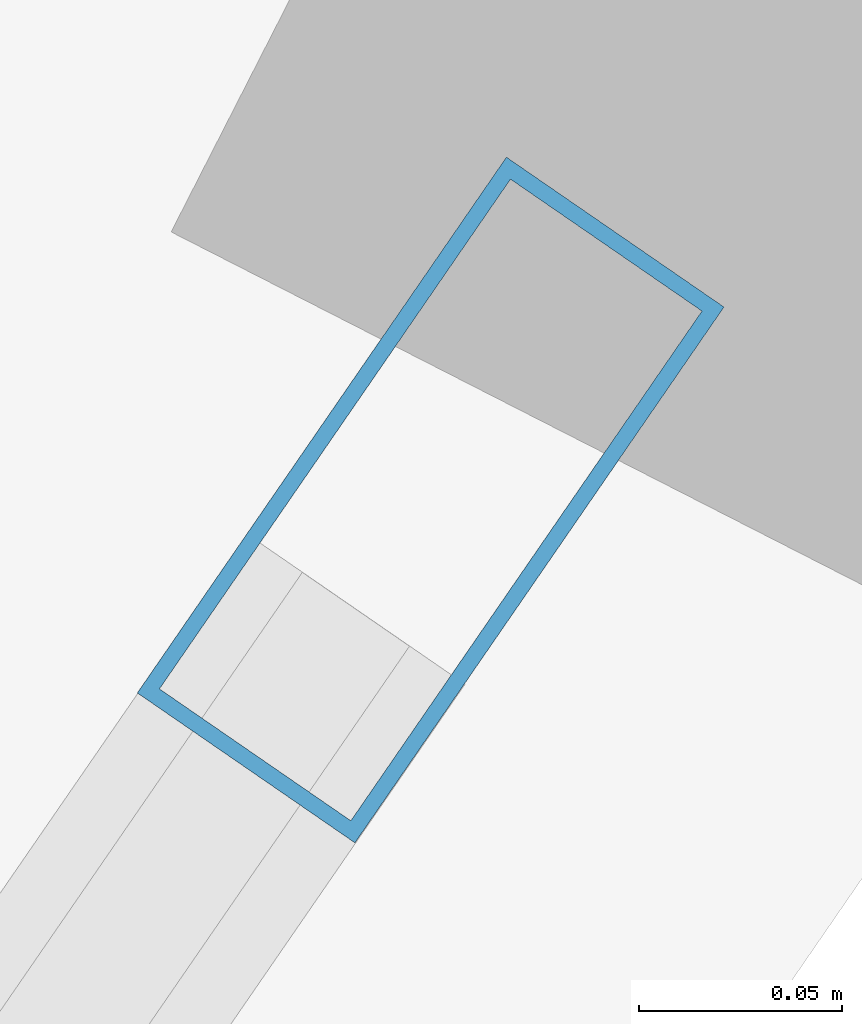
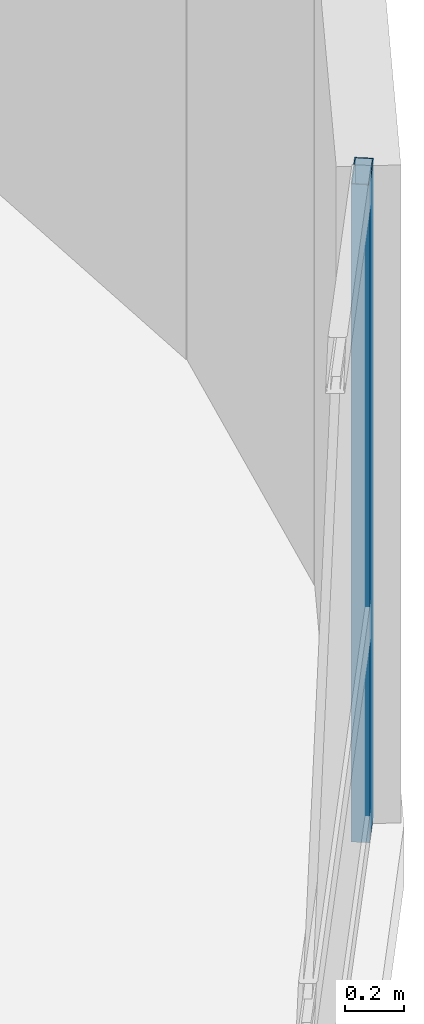
# One storey, part 11 of 24: 1 member, 1 element without a shape of its own.
"""IFC4 building model written with IfcOpenShell, lengths in metres."""

from ifc_helpers import new_model, si_unit, direction, frame, origin, origin_2d, place, context, subcontext, project, spatial, hollow_rectangle, extrude, material, layer, layer_set, material_profile, profile_set, type_object, element, aggregate, save


model = new_model("IFC4")

# Units and contexts
model_context = context("Model", 3, precision=1e-05, world=origin(), true_north=direction((0.0, 1.0)))
body_context = subcontext(model_context, "Body", "Model", "MODEL_VIEW")
ifc_project = project(units=[si_unit("LENGTHUNIT", "METRE"), si_unit("AREAUNIT", "SQUARE_METRE"), si_unit("VOLUMEUNIT", "CUBIC_METRE"), si_unit("PLANEANGLEUNIT", "RADIAN"), si_unit("MASSUNIT", "GRAM", prefix="KILO")], contexts=[model_context])

# Site, building, storey
site_placement = place(None, origin())
site = spatial("IfcSite", under=ifc_project, at=site_placement, CompositionType="ELEMENT")
building_placement = place(site_placement, origin())
building = spatial("IfcBuilding", under=site, at=building_placement, Name="Varnelok Gate Tower", CompositionType="ELEMENT")
storey_placement = place(building_placement, frame((0.0, 0.0, 41.800048828125)))
storey = spatial("IfcBuildingStorey", under=building, at=storey_placement, Name="L09", CompositionType="ELEMENT", Elevation=41.800048828125)

# Curtain wall, member
ifc_material = material(Name="Anodized Aluminum Alloy 6063-T6", Category="aluminium")
ifc_layer = layer(ifc_material, 0.179931640625)
ifc_layer_set = layer_set([ifc_layer], Name="Anodized Aluminum Alloy 6063-T6")
curtain_wall_type = type_object("IfcCurtainWallType", Name="CW3-HOTEL-VISION", PredefinedType="USERDEFINED", material=ifc_layer_set)
curtain_wall_placement = place(storey_placement, origin())
curtain_wall = element("IfcCurtainWall", 1, at=curtain_wall_placement, inside=storey, type_object=curtain_wall_type, Name="L09 East End Vision Curtain Wall", ObjectType="UNITISED CURTAIN WALL", PredefinedType="USERDEFINED")
ifc_material_profile = material_profile(ifc_material, hollow_rectangle(XDim=0.06494140625, YDim=0.159912109375, WallThickness=0.00390625, at=origin_2d()), Name="ALU160X65X4")
ifc_profile_set = profile_set([ifc_material_profile], Name="Anodized Aluminum Alloy 6063-T6")
member_type = type_object("IfcMemberType", Name="CW-MULL-160", PredefinedType="MULLION", material=ifc_profile_set)
member_placement = place(storey_placement, frame((82.52392578125, 19.33935546875, 0.0), z_axis=(0.0, 0.0, 1.0), x_axis=(0.823532685111, -0.567268822124, 0.0)))
member = element("IfcMember", 2, at=member_placement, type_object=member_type, Name="CW3 mullion 1", PredefinedType="MULLION", context=body_context, shape_type="SweptSolid", body=[
    extrude(hollow_rectangle(XDim=0.06494140625, YDim=0.159912109375, WallThickness=0.00390625, at=origin_2d()), origin(), (0.0, 0.0, 1.0), 2.72998046875),
])
aggregate(curtain_wall, [member])

save(model, "model.ifc")
